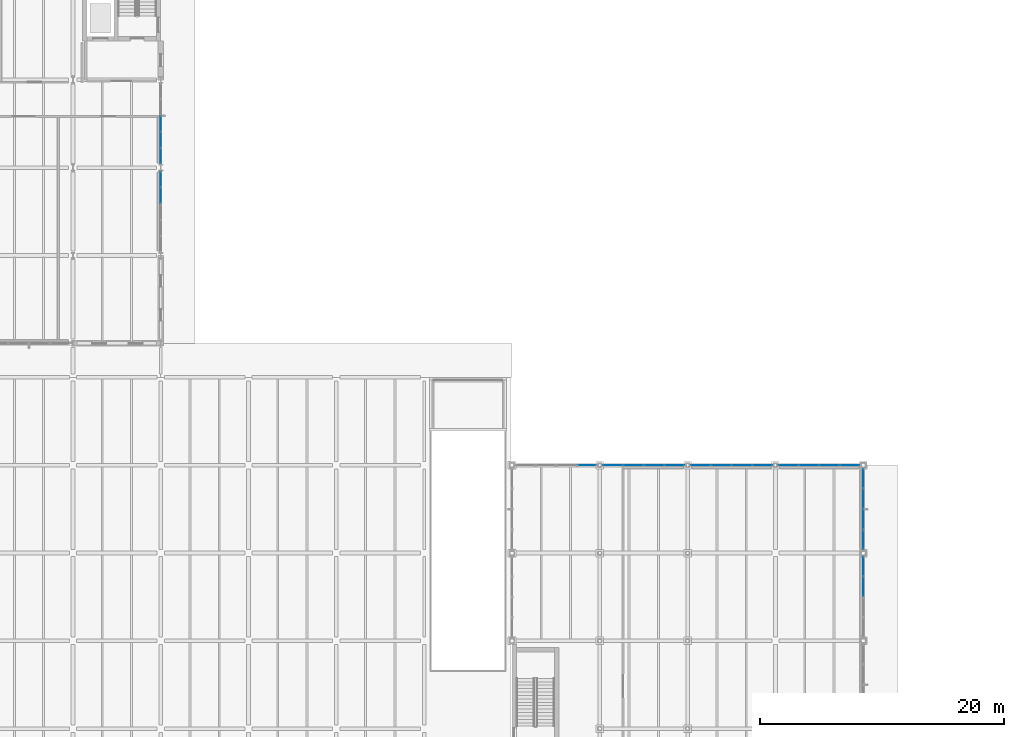
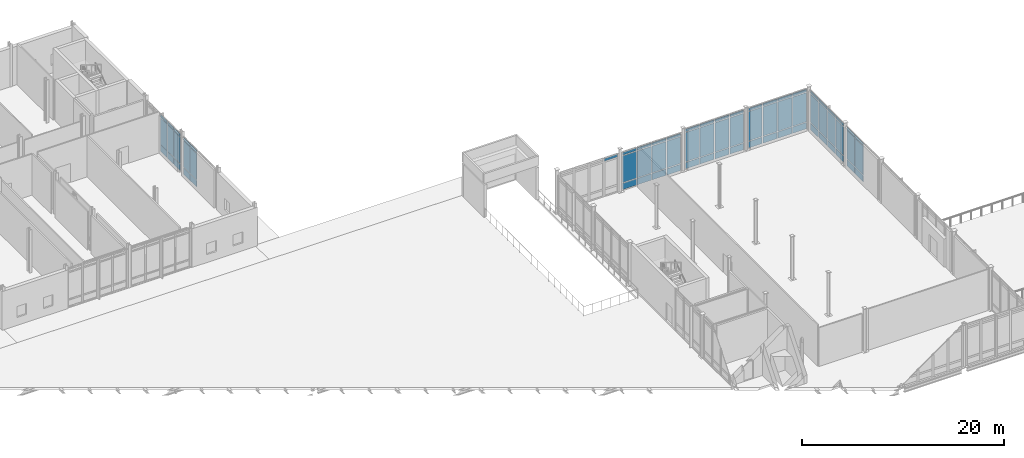
# One storey, part 47 of 89: 70 plates, 8 elements without a shape of their own.
"""IFC4 building model written with IfcOpenShell, lengths in metres."""

from ifc_helpers import new_model, si_unit, direction, frame, origin, origin_2d, place, context, subcontext, project, spatial, rectangle, extrude, material, layer, layer_set, type_object, element, aggregate, save


model = new_model("IFC4")

# Units and contexts
model_context = context("Model", 3, precision=1e-05, world=origin(), true_north=direction((0.0, 1.0)))
body_context = subcontext(model_context, "Body", "Model", "MODEL_VIEW")
ifc_project = project(units=[si_unit("LENGTHUNIT", "METRE"), si_unit("AREAUNIT", "SQUARE_METRE"), si_unit("VOLUMEUNIT", "CUBIC_METRE"), si_unit("PLANEANGLEUNIT", "RADIAN"), si_unit("MASSUNIT", "GRAM", prefix="KILO")], contexts=[model_context])

# Site, building, storey
site_placement = place(None, origin())
site = spatial("IfcSite", under=ifc_project, at=site_placement, CompositionType="ELEMENT")
building_placement = place(site_placement, origin())
building = spatial("IfcBuilding", under=site, at=building_placement, Name="Zarrinpeak Specialist Clinic", CompositionType="ELEMENT")
storey_placement = place(building_placement, origin())
storey = spatial("IfcBuildingStorey", under=building, at=storey_placement, Name="L00", CompositionType="ELEMENT", Elevation=0.0)

# Curtain wall, plate
ifc_material_1 = material(Name="Anodised Aluminium Alloy 6063-T6", Category="aluminium")
ifc_layer_1 = layer(ifc_material_1, 0.199951171875)
ifc_layer_set_1 = layer_set([ifc_layer_1], Name="Anodised Aluminium Alloy 6063-T6")
curtain_wall_type_1 = type_object("IfcCurtainWallType", Name="CW-HALL", PredefinedType="NOTDEFINED", material=ifc_layer_set_1)
curtain_wall_1_placement = place(storey_placement, origin())
curtain_wall_1 = element("IfcCurtainWall", 1, at=curtain_wall_1_placement, inside=storey, type_object=curtain_wall_type_1, Name="L00 V3 Unitised Curtain Wall CW-L00-V3-083", PredefinedType="NOTDEFINED")
ifc_material_2 = material(Name="Double Low-E Insulated Glazing", Category="glass")
ifc_layer_2 = layer(ifc_material_2, 0.028076171875)
ifc_layer_set_2 = layer_set([ifc_layer_2], Name="Double Low-E Insulated Glazing")
plate_type = type_object("IfcPlateType", Name="CWP-GLZ28", PredefinedType="CURTAIN_PANEL", material=ifc_layer_set_2)
plate_1_placement = place(storey_placement, frame((99.742431640625, 72.0, 4.260009765625), z_axis=(0.0, 0.0, 1.0), x_axis=(-1.0, 0.0, 0.0)))
plate_1 = element("IfcPlate", 2, at=plate_1_placement, type_object=plate_type, Name="CW-02 panel 1.3", PredefinedType="CURTAIN_PANEL", context=body_context, shape_type="SweptSolid", body=[
    extrude(rectangle(XDim=1.561279296875, YDim=0.028076171875, at=origin_2d()), origin(), (0.0, 0.0, 1.0), 0.31494140625),
])
aggregate(curtain_wall_1, [plate_1])

# Curtain wall, plates
curtain_wall_2_placement = place(storey_placement, origin())
curtain_wall_2 = element("IfcCurtainWall", 3, at=curtain_wall_2_placement, inside=storey, type_object=curtain_wall_type_1, Name="L00 V3 Unitised Curtain Wall CW-L00-V3-084", PredefinedType="NOTDEFINED")
plate_2_placement = place(storey_placement, frame((106.937255859375, 72.0, 0.08984375), z_axis=(0.0, 0.0, 1.0), x_axis=(-1.0, 0.0, 0.0)))
plate_2 = element("IfcPlate", 4, at=plate_2_placement, type_object=plate_type, Name="CW-02 panel 1.1", PredefinedType="CURTAIN_PANEL", context=body_context, shape_type="SweptSolid", body=[
    extrude(rectangle(XDim=1.571533203125, YDim=0.028076171875, at=origin_2d()), origin(), (0.0, 0.0, 1.0), 0.764892578125),
])
plate_3_placement = place(storey_placement, frame((106.937255859375, 72.0, 0.945068359375), z_axis=(0.0, 0.0, 1.0), x_axis=(-1.0, 0.0, 0.0)))
plate_3 = element("IfcPlate", 5, at=plate_3_placement, type_object=plate_type, Name="CW-02 panel 1.2", PredefinedType="CURTAIN_PANEL", context=body_context, shape_type="SweptSolid", body=[
    extrude(rectangle(XDim=1.571533203125, YDim=0.028076171875, at=origin_2d()), origin(), (0.0, 0.0, 1.0), 3.22509765625),
])
plate_4_placement = place(storey_placement, frame((106.937255859375, 72.0, 4.260009765625), z_axis=(0.0, 0.0, 1.0), x_axis=(-1.0, 0.0, 0.0)))
plate_4 = element("IfcPlate", 6, at=plate_4_placement, type_object=plate_type, Name="CW-02 panel 1.3", PredefinedType="CURTAIN_PANEL", context=body_context, shape_type="SweptSolid", body=[
    extrude(rectangle(XDim=1.571533203125, YDim=0.028076171875, at=origin_2d()), origin(), (0.0, 0.0, 1.0), 0.31494140625),
])
plate_5_placement = place(storey_placement, frame((105.253173828125, 72.0, 0.08984375), z_axis=(0.0, 0.0, 1.0), x_axis=(-1.0, 0.0, 0.0)))
plate_5 = element("IfcPlate", 7, at=plate_5_placement, type_object=plate_type, Name="CW-02 panel 2.1", PredefinedType="CURTAIN_PANEL", context=body_context, shape_type="SweptSolid", body=[
    extrude(rectangle(XDim=1.616455078125, YDim=0.028076171875, at=origin_2d()), origin(), (0.0, 0.0, 1.0), 0.764892578125),
])
plate_6_placement = place(storey_placement, frame((105.253173828125, 72.0, 0.945068359375), z_axis=(0.0, 0.0, 1.0), x_axis=(-1.0, 0.0, 0.0)))
plate_6 = element("IfcPlate", 8, at=plate_6_placement, type_object=plate_type, Name="CW-02 panel 2.2", PredefinedType="CURTAIN_PANEL", context=body_context, shape_type="SweptSolid", body=[
    extrude(rectangle(XDim=1.616455078125, YDim=0.028076171875, at=origin_2d()), origin(), (0.0, 0.0, 1.0), 3.22509765625),
])
plate_7_placement = place(storey_placement, frame((105.253173828125, 72.0, 4.260009765625), z_axis=(0.0, 0.0, 1.0), x_axis=(-1.0, 0.0, 0.0)))
plate_7 = element("IfcPlate", 9, at=plate_7_placement, type_object=plate_type, Name="CW-02 panel 2.3", PredefinedType="CURTAIN_PANEL", context=body_context, shape_type="SweptSolid", body=[
    extrude(rectangle(XDim=1.616455078125, YDim=0.028076171875, at=origin_2d()), origin(), (0.0, 0.0, 1.0), 0.31494140625),
])
plate_8_placement = place(storey_placement, frame((103.546630859375, 72.0, 0.08984375), z_axis=(0.0, 0.0, 1.0), x_axis=(-1.0, 0.0, 0.0)))
plate_8 = element("IfcPlate", 10, at=plate_8_placement, type_object=plate_type, Name="CW-02 panel 3.1", PredefinedType="CURTAIN_PANEL", context=body_context, shape_type="SweptSolid", body=[
    extrude(rectangle(XDim=1.616455078125, YDim=0.028076171875, at=origin_2d()), origin(), (0.0, 0.0, 1.0), 0.764892578125),
])
plate_9_placement = place(storey_placement, frame((103.546630859375, 72.0, 0.945068359375), z_axis=(0.0, 0.0, 1.0), x_axis=(-1.0, 0.0, 0.0)))
plate_9 = element("IfcPlate", 11, at=plate_9_placement, type_object=plate_type, Name="CW-02 panel 3.2", PredefinedType="CURTAIN_PANEL", context=body_context, shape_type="SweptSolid", body=[
    extrude(rectangle(XDim=1.616455078125, YDim=0.028076171875, at=origin_2d()), origin(), (0.0, 0.0, 1.0), 3.22509765625),
])
plate_10_placement = place(storey_placement, frame((103.546630859375, 72.0, 4.260009765625), z_axis=(0.0, 0.0, 1.0), x_axis=(-1.0, 0.0, 0.0)))
plate_10 = element("IfcPlate", 12, at=plate_10_placement, type_object=plate_type, Name="CW-02 panel 3.3", PredefinedType="CURTAIN_PANEL", context=body_context, shape_type="SweptSolid", body=[
    extrude(rectangle(XDim=1.616455078125, YDim=0.028076171875, at=origin_2d()), origin(), (0.0, 0.0, 1.0), 0.31494140625),
])
plate_11_placement = place(storey_placement, frame((101.86279296875, 72.0, 0.08984375), z_axis=(0.0, 0.0, 1.0), x_axis=(-1.0, 0.0, 0.0)))
plate_11 = element("IfcPlate", 13, at=plate_11_placement, type_object=plate_type, Name="CW-02 panel 4.1", PredefinedType="CURTAIN_PANEL", context=body_context, shape_type="SweptSolid", body=[
    extrude(rectangle(XDim=1.571533203125, YDim=0.028076171875, at=origin_2d()), origin(), (0.0, 0.0, 1.0), 0.764892578125),
])
plate_12_placement = place(storey_placement, frame((101.86279296875, 72.0, 0.945068359375), z_axis=(0.0, 0.0, 1.0), x_axis=(-1.0, 0.0, 0.0)))
plate_12 = element("IfcPlate", 14, at=plate_12_placement, type_object=plate_type, Name="CW-02 panel 4.2", PredefinedType="CURTAIN_PANEL", context=body_context, shape_type="SweptSolid", body=[
    extrude(rectangle(XDim=1.571533203125, YDim=0.028076171875, at=origin_2d()), origin(), (0.0, 0.0, 1.0), 3.22509765625),
])
plate_13_placement = place(storey_placement, frame((101.86279296875, 72.0, 4.260009765625), z_axis=(0.0, 0.0, 1.0), x_axis=(-1.0, 0.0, 0.0)))
plate_13 = element("IfcPlate", 15, at=plate_13_placement, type_object=plate_type, Name="CW-02 panel 4.3", PredefinedType="CURTAIN_PANEL", context=body_context, shape_type="SweptSolid", body=[
    extrude(rectangle(XDim=1.571533203125, YDim=0.028076171875, at=origin_2d()), origin(), (0.0, 0.0, 1.0), 0.31494140625),
])
aggregate(curtain_wall_2, [plate_2, plate_3, plate_4, plate_5, plate_6, plate_7, plate_8, plate_9, plate_10, plate_11, plate_12, plate_13])

curtain_wall_3_placement = place(storey_placement, origin())
curtain_wall_3 = element("IfcCurtainWall", 16, at=curtain_wall_3_placement, inside=storey, type_object=curtain_wall_type_1, Name="L00 V3 Unitised Curtain Wall CW-L00-V3-085", PredefinedType="NOTDEFINED")
plate_14_placement = place(storey_placement, frame((114.13720703125, 72.0, 0.08984375), z_axis=(0.0, 0.0, 1.0), x_axis=(-1.0, 0.0, 0.0)))
plate_14 = element("IfcPlate", 17, at=plate_14_placement, type_object=plate_type, Name="CW-02 panel 1.1", PredefinedType="CURTAIN_PANEL", context=body_context, shape_type="SweptSolid", body=[
    extrude(rectangle(XDim=1.571533203125, YDim=0.028076171875, at=origin_2d()), origin(), (0.0, 0.0, 1.0), 0.764892578125),
])
plate_15_placement = place(storey_placement, frame((114.13720703125, 72.0, 0.94482421875), z_axis=(0.0, 0.0, 1.0), x_axis=(-1.0, 0.0, 0.0)))
plate_15 = element("IfcPlate", 18, at=plate_15_placement, type_object=plate_type, Name="CW-02 panel 1.2", PredefinedType="CURTAIN_PANEL", context=body_context, shape_type="SweptSolid", body=[
    extrude(rectangle(XDim=1.571533203125, YDim=0.028076171875, at=origin_2d()), origin(), (0.0, 0.0, 1.0), 3.530029296875),
])
plate_16_placement = place(storey_placement, frame((114.13720703125, 72.0, 4.56494140625), z_axis=(0.0, 0.0, 1.0), x_axis=(-1.0, 0.0, 0.0)))
plate_16 = element("IfcPlate", 19, at=plate_16_placement, type_object=plate_type, Name="CW-02 panel 1.3", PredefinedType="CURTAIN_PANEL", context=body_context, shape_type="SweptSolid", body=[
    extrude(rectangle(XDim=1.571533203125, YDim=0.028076171875, at=origin_2d()), origin(), (0.0, 0.0, 1.0), 0.31494140625),
])
plate_17_placement = place(storey_placement, frame((112.453369140625, 72.0, 0.08984375), z_axis=(0.0, 0.0, 1.0), x_axis=(-1.0, 0.0, 0.0)))
plate_17 = element("IfcPlate", 20, at=plate_17_placement, type_object=plate_type, Name="CW-02 panel 2.1", PredefinedType="CURTAIN_PANEL", context=body_context, shape_type="SweptSolid", body=[
    extrude(rectangle(XDim=1.616455078125, YDim=0.028076171875, at=origin_2d()), origin(), (0.0, 0.0, 1.0), 0.764892578125),
])
plate_18_placement = place(storey_placement, frame((112.453369140625, 72.0, 0.94482421875), z_axis=(0.0, 0.0, 1.0), x_axis=(-1.0, 0.0, 0.0)))
plate_18 = element("IfcPlate", 21, at=plate_18_placement, type_object=plate_type, Name="CW-02 panel 2.2", PredefinedType="CURTAIN_PANEL", context=body_context, shape_type="SweptSolid", body=[
    extrude(rectangle(XDim=1.616455078125, YDim=0.028076171875, at=origin_2d()), origin(), (0.0, 0.0, 1.0), 3.530029296875),
])
plate_19_placement = place(storey_placement, frame((112.453369140625, 72.0, 4.56494140625), z_axis=(0.0, 0.0, 1.0), x_axis=(-1.0, 0.0, 0.0)))
plate_19 = element("IfcPlate", 22, at=plate_19_placement, type_object=plate_type, Name="CW-02 panel 2.3", PredefinedType="CURTAIN_PANEL", context=body_context, shape_type="SweptSolid", body=[
    extrude(rectangle(XDim=1.616455078125, YDim=0.028076171875, at=origin_2d()), origin(), (0.0, 0.0, 1.0), 0.31494140625),
])
plate_20_placement = place(storey_placement, frame((110.746826171875, 72.0, 0.08984375), z_axis=(0.0, 0.0, 1.0), x_axis=(-1.0, 0.0, 0.0)))
plate_20 = element("IfcPlate", 23, at=plate_20_placement, type_object=plate_type, Name="CW-02 panel 3.1", PredefinedType="CURTAIN_PANEL", context=body_context, shape_type="SweptSolid", body=[
    extrude(rectangle(XDim=1.616455078125, YDim=0.028076171875, at=origin_2d()), origin(), (0.0, 0.0, 1.0), 0.764892578125),
])
plate_21_placement = place(storey_placement, frame((110.746826171875, 72.0, 0.94482421875), z_axis=(0.0, 0.0, 1.0), x_axis=(-1.0, 0.0, 0.0)))
plate_21 = element("IfcPlate", 24, at=plate_21_placement, type_object=plate_type, Name="CW-02 panel 3.2", PredefinedType="CURTAIN_PANEL", context=body_context, shape_type="SweptSolid", body=[
    extrude(rectangle(XDim=1.616455078125, YDim=0.028076171875, at=origin_2d()), origin(), (0.0, 0.0, 1.0), 3.530029296875),
])
plate_22_placement = place(storey_placement, frame((110.746826171875, 72.0, 4.56494140625), z_axis=(0.0, 0.0, 1.0), x_axis=(-1.0, 0.0, 0.0)))
plate_22 = element("IfcPlate", 25, at=plate_22_placement, type_object=plate_type, Name="CW-02 panel 3.3", PredefinedType="CURTAIN_PANEL", context=body_context, shape_type="SweptSolid", body=[
    extrude(rectangle(XDim=1.616455078125, YDim=0.028076171875, at=origin_2d()), origin(), (0.0, 0.0, 1.0), 0.31494140625),
])
plate_23_placement = place(storey_placement, frame((109.062744140625, 72.0, 0.08984375), z_axis=(0.0, 0.0, 1.0), x_axis=(-1.0, 0.0, 0.0)))
plate_23 = element("IfcPlate", 26, at=plate_23_placement, type_object=plate_type, Name="CW-02 panel 4.1", PredefinedType="CURTAIN_PANEL", context=body_context, shape_type="SweptSolid", body=[
    extrude(rectangle(XDim=1.571533203125, YDim=0.028076171875, at=origin_2d()), origin(), (0.0, 0.0, 1.0), 0.764892578125),
])
plate_24_placement = place(storey_placement, frame((109.062744140625, 72.0, 0.94482421875), z_axis=(0.0, 0.0, 1.0), x_axis=(-1.0, 0.0, 0.0)))
plate_24 = element("IfcPlate", 27, at=plate_24_placement, type_object=plate_type, Name="CW-02 panel 4.2", PredefinedType="CURTAIN_PANEL", context=body_context, shape_type="SweptSolid", body=[
    extrude(rectangle(XDim=1.571533203125, YDim=0.028076171875, at=origin_2d()), origin(), (0.0, 0.0, 1.0), 3.530029296875),
])
plate_25_placement = place(storey_placement, frame((109.062744140625, 72.0, 4.56494140625), z_axis=(0.0, 0.0, 1.0), x_axis=(-1.0, 0.0, 0.0)))
plate_25 = element("IfcPlate", 28, at=plate_25_placement, type_object=plate_type, Name="CW-02 panel 4.3", PredefinedType="CURTAIN_PANEL", context=body_context, shape_type="SweptSolid", body=[
    extrude(rectangle(XDim=1.571533203125, YDim=0.028076171875, at=origin_2d()), origin(), (0.0, 0.0, 1.0), 0.31494140625),
])
aggregate(curtain_wall_3, [plate_14, plate_15, plate_16, plate_17, plate_18, plate_19, plate_20, plate_21, plate_22, plate_23, plate_24, plate_25])

curtain_wall_4_placement = place(storey_placement, origin())
curtain_wall_4 = element("IfcCurtainWall", 29, at=curtain_wall_4_placement, inside=storey, type_object=curtain_wall_type_1, Name="L00 V3 Unitised Curtain Wall CW-L00-V3-086", PredefinedType="NOTDEFINED")
plate_26_placement = place(storey_placement, frame((121.30126953125, 72.0, 0.08984375), z_axis=(0.0, 0.0, 1.0), x_axis=(-1.0, 0.0, 0.0)))
plate_26 = element("IfcPlate", 30, at=plate_26_placement, type_object=plate_type, Name="CW-02 panel 1.1", PredefinedType="CURTAIN_PANEL", context=body_context, shape_type="SweptSolid", body=[
    extrude(rectangle(XDim=1.561279296875, YDim=0.028076171875, at=origin_2d()), origin(), (0.0, 0.0, 1.0), 0.764892578125),
])
plate_27_placement = place(storey_placement, frame((121.30126953125, 72.0, 0.94482421875), z_axis=(0.0, 0.0, 1.0), x_axis=(-1.0, 0.0, 0.0)))
plate_27 = element("IfcPlate", 31, at=plate_27_placement, type_object=plate_type, Name="CW-02 panel 1.2", PredefinedType="CURTAIN_PANEL", context=body_context, shape_type="SweptSolid", body=[
    extrude(rectangle(XDim=1.561279296875, YDim=0.028076171875, at=origin_2d()), origin(), (0.0, 0.0, 1.0), 3.530029296875),
])
plate_28_placement = place(storey_placement, frame((121.30126953125, 72.0, 4.56494140625), z_axis=(0.0, 0.0, 1.0), x_axis=(-1.0, 0.0, 0.0)))
plate_28 = element("IfcPlate", 32, at=plate_28_placement, type_object=plate_type, Name="CW-02 panel 1.3", PredefinedType="CURTAIN_PANEL", context=body_context, shape_type="SweptSolid", body=[
    extrude(rectangle(XDim=1.561279296875, YDim=0.028076171875, at=origin_2d()), origin(), (0.0, 0.0, 1.0), 0.31494140625),
])
plate_29_placement = place(storey_placement, frame((119.62744140625, 72.0, 0.08984375), z_axis=(0.0, 0.0, 1.0), x_axis=(-1.0, 0.0, 0.0)))
plate_29 = element("IfcPlate", 33, at=plate_29_placement, type_object=plate_type, Name="CW-02 panel 2.1", PredefinedType="CURTAIN_PANEL", context=body_context, shape_type="SweptSolid", body=[
    extrude(rectangle(XDim=1.606201171875, YDim=0.028076171875, at=origin_2d()), origin(), (0.0, 0.0, 1.0), 0.764892578125),
])
plate_30_placement = place(storey_placement, frame((119.62744140625, 72.0, 0.94482421875), z_axis=(0.0, 0.0, 1.0), x_axis=(-1.0, 0.0, 0.0)))
plate_30 = element("IfcPlate", 34, at=plate_30_placement, type_object=plate_type, Name="CW-02 panel 2.2", PredefinedType="CURTAIN_PANEL", context=body_context, shape_type="SweptSolid", body=[
    extrude(rectangle(XDim=1.606201171875, YDim=0.028076171875, at=origin_2d()), origin(), (0.0, 0.0, 1.0), 3.530029296875),
])
plate_31_placement = place(storey_placement, frame((119.62744140625, 72.0, 4.56494140625), z_axis=(0.0, 0.0, 1.0), x_axis=(-1.0, 0.0, 0.0)))
plate_31 = element("IfcPlate", 35, at=plate_31_placement, type_object=plate_type, Name="CW-02 panel 2.3", PredefinedType="CURTAIN_PANEL", context=body_context, shape_type="SweptSolid", body=[
    extrude(rectangle(XDim=1.606201171875, YDim=0.028076171875, at=origin_2d()), origin(), (0.0, 0.0, 1.0), 0.31494140625),
])
plate_32_placement = place(storey_placement, frame((117.93115234375, 72.0, 0.08984375), z_axis=(0.0, 0.0, 1.0), x_axis=(-1.0, 0.0, 0.0)))
plate_32 = element("IfcPlate", 36, at=plate_32_placement, type_object=plate_type, Name="CW-02 panel 3.1", PredefinedType="CURTAIN_PANEL", context=body_context, shape_type="SweptSolid", body=[
    extrude(rectangle(XDim=1.606201171875, YDim=0.028076171875, at=origin_2d()), origin(), (0.0, 0.0, 1.0), 0.764892578125),
])
plate_33_placement = place(storey_placement, frame((117.93115234375, 72.0, 0.94482421875), z_axis=(0.0, 0.0, 1.0), x_axis=(-1.0, 0.0, 0.0)))
plate_33 = element("IfcPlate", 37, at=plate_33_placement, type_object=plate_type, Name="CW-02 panel 3.2", PredefinedType="CURTAIN_PANEL", context=body_context, shape_type="SweptSolid", body=[
    extrude(rectangle(XDim=1.606201171875, YDim=0.028076171875, at=origin_2d()), origin(), (0.0, 0.0, 1.0), 3.530029296875),
])
plate_34_placement = place(storey_placement, frame((117.93115234375, 72.0, 4.56494140625), z_axis=(0.0, 0.0, 1.0), x_axis=(-1.0, 0.0, 0.0)))
plate_34 = element("IfcPlate", 38, at=plate_34_placement, type_object=plate_type, Name="CW-02 panel 3.3", PredefinedType="CURTAIN_PANEL", context=body_context, shape_type="SweptSolid", body=[
    extrude(rectangle(XDim=1.606201171875, YDim=0.028076171875, at=origin_2d()), origin(), (0.0, 0.0, 1.0), 0.31494140625),
])
plate_35_placement = place(storey_placement, frame((116.257568359375, 72.0, 0.08984375), z_axis=(0.0, 0.0, 1.0), x_axis=(-1.0, 0.0, 0.0)))
plate_35 = element("IfcPlate", 39, at=plate_35_placement, type_object=plate_type, Name="CW-02 panel 4.1", PredefinedType="CURTAIN_PANEL", context=body_context, shape_type="SweptSolid", body=[
    extrude(rectangle(XDim=1.561279296875, YDim=0.028076171875, at=origin_2d()), origin(), (0.0, 0.0, 1.0), 0.764892578125),
])
plate_36_placement = place(storey_placement, frame((116.257568359375, 72.0, 0.94482421875), z_axis=(0.0, 0.0, 1.0), x_axis=(-1.0, 0.0, 0.0)))
plate_36 = element("IfcPlate", 40, at=plate_36_placement, type_object=plate_type, Name="CW-02 panel 4.2", PredefinedType="CURTAIN_PANEL", context=body_context, shape_type="SweptSolid", body=[
    extrude(rectangle(XDim=1.561279296875, YDim=0.028076171875, at=origin_2d()), origin(), (0.0, 0.0, 1.0), 3.530029296875),
])
plate_37_placement = place(storey_placement, frame((116.257568359375, 72.0, 4.56494140625), z_axis=(0.0, 0.0, 1.0), x_axis=(-1.0, 0.0, 0.0)))
plate_37 = element("IfcPlate", 41, at=plate_37_placement, type_object=plate_type, Name="CW-02 panel 4.3", PredefinedType="CURTAIN_PANEL", context=body_context, shape_type="SweptSolid", body=[
    extrude(rectangle(XDim=1.561279296875, YDim=0.028076171875, at=origin_2d()), origin(), (0.0, 0.0, 1.0), 0.31494140625),
])
aggregate(curtain_wall_4, [plate_26, plate_27, plate_28, plate_29, plate_30, plate_31, plate_32, plate_33, plate_34, plate_35, plate_36, plate_37])

curtain_wall_5_placement = place(storey_placement, origin())
curtain_wall_5 = element("IfcCurtainWall", 42, at=curtain_wall_5_placement, inside=storey, type_object=curtain_wall_type_1, Name="L00 V3 Unitised Curtain Wall CW-L00-V3-095", PredefinedType="NOTDEFINED")
plate_38_placement = place(storey_placement, frame((122.39990234375, 62.04296875, 0.08984375), z_axis=(0.0, 0.0, 1.0), x_axis=(0.0, 1.0, 0.0)))
plate_38 = element("IfcPlate", 43, at=plate_38_placement, type_object=plate_type, Name="CW-02 panel 3.1", PredefinedType="CURTAIN_PANEL", context=body_context, shape_type="SweptSolid", body=[
    extrude(rectangle(XDim=1.595947265625, YDim=0.028076171875, at=origin_2d()), origin(), (0.0, 0.0, 1.0), 0.764892578125),
])
plate_39_placement = place(storey_placement, frame((122.39990234375, 62.04296875, 0.945068359375), z_axis=(0.0, 0.0, 1.0), x_axis=(0.0, 1.0, 0.0)))
plate_39 = element("IfcPlate", 44, at=plate_39_placement, type_object=plate_type, Name="CW-02 panel 3.2", PredefinedType="CURTAIN_PANEL", context=body_context, shape_type="SweptSolid", body=[
    extrude(rectangle(XDim=1.595947265625, YDim=0.028076171875, at=origin_2d()), origin(), (0.0, 0.0, 1.0), 3.43505859375),
])
plate_40_placement = place(storey_placement, frame((122.39990234375, 62.04296875, 4.469970703125), z_axis=(0.0, 0.0, 1.0), x_axis=(0.0, 1.0, 0.0)))
plate_40 = element("IfcPlate", 45, at=plate_40_placement, type_object=plate_type, Name="CW-02 panel 3.3", PredefinedType="CURTAIN_PANEL", context=body_context, shape_type="SweptSolid", body=[
    extrude(rectangle(XDim=1.595947265625, YDim=0.028076171875, at=origin_2d()), origin(), (0.0, 0.0, 1.0), 0.31494140625),
])
plate_41_placement = place(storey_placement, frame((122.39990234375, 63.706298828125, 0.08984375), z_axis=(0.0, 0.0, 1.0), x_axis=(0.0, 1.0, 0.0)))
plate_41 = element("IfcPlate", 46, at=plate_41_placement, type_object=plate_type, Name="CW-02 panel 4.1", PredefinedType="CURTAIN_PANEL", context=body_context, shape_type="SweptSolid", body=[
    extrude(rectangle(XDim=1.55078125, YDim=0.028076171875, at=origin_2d()), origin(), (0.0, 0.0, 1.0), 0.764892578125),
])
plate_42_placement = place(storey_placement, frame((122.39990234375, 63.706298828125, 0.945068359375), z_axis=(0.0, 0.0, 1.0), x_axis=(0.0, 1.0, 0.0)))
plate_42 = element("IfcPlate", 47, at=plate_42_placement, type_object=plate_type, Name="CW-02 panel 4.2", PredefinedType="CURTAIN_PANEL", context=body_context, shape_type="SweptSolid", body=[
    extrude(rectangle(XDim=1.55078125, YDim=0.028076171875, at=origin_2d()), origin(), (0.0, 0.0, 1.0), 3.43505859375),
])
plate_43_placement = place(storey_placement, frame((122.39990234375, 63.706298828125, 4.469970703125), z_axis=(0.0, 0.0, 1.0), x_axis=(0.0, 1.0, 0.0)))
plate_43 = element("IfcPlate", 48, at=plate_43_placement, type_object=plate_type, Name="CW-02 panel 4.3", PredefinedType="CURTAIN_PANEL", context=body_context, shape_type="SweptSolid", body=[
    extrude(rectangle(XDim=1.55078125, YDim=0.028076171875, at=origin_2d()), origin(), (0.0, 0.0, 1.0), 0.31494140625),
])
aggregate(curtain_wall_5, [plate_38, plate_39, plate_40, plate_41, plate_42, plate_43])

curtain_wall_6_placement = place(storey_placement, origin())
curtain_wall_6 = element("IfcCurtainWall", 49, at=curtain_wall_6_placement, inside=storey, type_object=curtain_wall_type_1, Name="L00 V3 Unitised Curtain Wall CW-L00-V3-096", PredefinedType="NOTDEFINED")
plate_44_placement = place(storey_placement, frame((122.39990234375, 65.8935546875, 0.08984375), z_axis=(0.0, 0.0, 1.0), x_axis=(0.0, 1.0, 0.0)))
plate_44 = element("IfcPlate", 50, at=plate_44_placement, type_object=plate_type, Name="CW-02 panel 1.1", PredefinedType="CURTAIN_PANEL", context=body_context, shape_type="SweptSolid", body=[
    extrude(rectangle(XDim=1.55078125, YDim=0.028076171875, at=origin_2d()), origin(), (0.0, 0.0, 1.0), 0.764892578125),
])
plate_45_placement = place(storey_placement, frame((122.39990234375, 65.8935546875, 0.945068359375), z_axis=(0.0, 0.0, 1.0), x_axis=(0.0, 1.0, 0.0)))
plate_45 = element("IfcPlate", 51, at=plate_45_placement, type_object=plate_type, Name="CW-02 panel 1.2", PredefinedType="CURTAIN_PANEL", context=body_context, shape_type="SweptSolid", body=[
    extrude(rectangle(XDim=1.55078125, YDim=0.028076171875, at=origin_2d()), origin(), (0.0, 0.0, 1.0), 3.43505859375),
])
plate_46_placement = place(storey_placement, frame((122.39990234375, 65.8935546875, 4.469970703125), z_axis=(0.0, 0.0, 1.0), x_axis=(0.0, 1.0, 0.0)))
plate_46 = element("IfcPlate", 52, at=plate_46_placement, type_object=plate_type, Name="CW-02 panel 1.3", PredefinedType="CURTAIN_PANEL", context=body_context, shape_type="SweptSolid", body=[
    extrude(rectangle(XDim=1.55078125, YDim=0.028076171875, at=origin_2d()), origin(), (0.0, 0.0, 1.0), 0.31494140625),
])
plate_47_placement = place(storey_placement, frame((122.39990234375, 67.55712890625, 0.08984375), z_axis=(0.0, 0.0, 1.0), x_axis=(0.0, 1.0, 0.0)))
plate_47 = element("IfcPlate", 53, at=plate_47_placement, type_object=plate_type, Name="CW-02 panel 2.1", PredefinedType="CURTAIN_PANEL", context=body_context, shape_type="SweptSolid", body=[
    extrude(rectangle(XDim=1.595947265625, YDim=0.028076171875, at=origin_2d()), origin(), (0.0, 0.0, 1.0), 0.764892578125),
])
plate_48_placement = place(storey_placement, frame((122.39990234375, 67.55712890625, 0.945068359375), z_axis=(0.0, 0.0, 1.0), x_axis=(0.0, 1.0, 0.0)))
plate_48 = element("IfcPlate", 54, at=plate_48_placement, type_object=plate_type, Name="CW-02 panel 2.2", PredefinedType="CURTAIN_PANEL", context=body_context, shape_type="SweptSolid", body=[
    extrude(rectangle(XDim=1.595947265625, YDim=0.028076171875, at=origin_2d()), origin(), (0.0, 0.0, 1.0), 3.43505859375),
])
plate_49_placement = place(storey_placement, frame((122.39990234375, 67.55712890625, 4.469970703125), z_axis=(0.0, 0.0, 1.0), x_axis=(0.0, 1.0, 0.0)))
plate_49 = element("IfcPlate", 55, at=plate_49_placement, type_object=plate_type, Name="CW-02 panel 2.3", PredefinedType="CURTAIN_PANEL", context=body_context, shape_type="SweptSolid", body=[
    extrude(rectangle(XDim=1.595947265625, YDim=0.028076171875, at=origin_2d()), origin(), (0.0, 0.0, 1.0), 0.31494140625),
])
plate_50_placement = place(storey_placement, frame((122.39990234375, 69.242919921875, 0.08984375), z_axis=(0.0, 0.0, 1.0), x_axis=(0.0, 1.0, 0.0)))
plate_50 = element("IfcPlate", 56, at=plate_50_placement, type_object=plate_type, Name="CW-02 panel 3.1", PredefinedType="CURTAIN_PANEL", context=body_context, shape_type="SweptSolid", body=[
    extrude(rectangle(XDim=1.595947265625, YDim=0.028076171875, at=origin_2d()), origin(), (0.0, 0.0, 1.0), 0.764892578125),
])
plate_51_placement = place(storey_placement, frame((122.39990234375, 69.242919921875, 0.945068359375), z_axis=(0.0, 0.0, 1.0), x_axis=(0.0, 1.0, 0.0)))
plate_51 = element("IfcPlate", 57, at=plate_51_placement, type_object=plate_type, Name="CW-02 panel 3.2", PredefinedType="CURTAIN_PANEL", context=body_context, shape_type="SweptSolid", body=[
    extrude(rectangle(XDim=1.595947265625, YDim=0.028076171875, at=origin_2d()), origin(), (0.0, 0.0, 1.0), 3.43505859375),
])
plate_52_placement = place(storey_placement, frame((122.39990234375, 69.242919921875, 4.469970703125), z_axis=(0.0, 0.0, 1.0), x_axis=(0.0, 1.0, 0.0)))
plate_52 = element("IfcPlate", 58, at=plate_52_placement, type_object=plate_type, Name="CW-02 panel 3.3", PredefinedType="CURTAIN_PANEL", context=body_context, shape_type="SweptSolid", body=[
    extrude(rectangle(XDim=1.595947265625, YDim=0.028076171875, at=origin_2d()), origin(), (0.0, 0.0, 1.0), 0.31494140625),
])
plate_53_placement = place(storey_placement, frame((122.39990234375, 70.90625, 0.08984375), z_axis=(0.0, 0.0, 1.0), x_axis=(0.0, 1.0, 0.0)))
plate_53 = element("IfcPlate", 59, at=plate_53_placement, type_object=plate_type, Name="CW-02 panel 4.1", PredefinedType="CURTAIN_PANEL", context=body_context, shape_type="SweptSolid", body=[
    extrude(rectangle(XDim=1.55078125, YDim=0.028076171875, at=origin_2d()), origin(), (0.0, 0.0, 1.0), 0.764892578125),
])
plate_54_placement = place(storey_placement, frame((122.39990234375, 70.90625, 0.945068359375), z_axis=(0.0, 0.0, 1.0), x_axis=(0.0, 1.0, 0.0)))
plate_54 = element("IfcPlate", 60, at=plate_54_placement, type_object=plate_type, Name="CW-02 panel 4.2", PredefinedType="CURTAIN_PANEL", context=body_context, shape_type="SweptSolid", body=[
    extrude(rectangle(XDim=1.55078125, YDim=0.028076171875, at=origin_2d()), origin(), (0.0, 0.0, 1.0), 3.43505859375),
])
plate_55_placement = place(storey_placement, frame((122.39990234375, 70.90625, 4.469970703125), z_axis=(0.0, 0.0, 1.0), x_axis=(0.0, 1.0, 0.0)))
plate_55 = element("IfcPlate", 61, at=plate_55_placement, type_object=plate_type, Name="CW-02 panel 4.3", PredefinedType="CURTAIN_PANEL", context=body_context, shape_type="SweptSolid", body=[
    extrude(rectangle(XDim=1.55078125, YDim=0.028076171875, at=origin_2d()), origin(), (0.0, 0.0, 1.0), 0.31494140625),
])
aggregate(curtain_wall_6, [plate_44, plate_45, plate_46, plate_47, plate_48, plate_49, plate_50, plate_51, plate_52, plate_53, plate_54, plate_55])

ifc_layer_3 = layer(ifc_material_1, 0.1650390625)
ifc_layer_set_3 = layer_set([ifc_layer_3], Name="Anodised Aluminium Alloy 6063-T6")
curtain_wall_type_2 = type_object("IfcCurtainWallType", Name="CW-CLINIC", PredefinedType="NOTDEFINED", material=ifc_layer_set_3)
curtain_wall_7_placement = place(storey_placement, origin())
curtain_wall_7 = element("IfcCurtainWall", 62, at=curtain_wall_7_placement, inside=storey, type_object=curtain_wall_type_2, Name="L00 V6 Unitised Curtain Wall CW-L00-V6-133", PredefinedType="NOTDEFINED")
plate_56_placement = place(storey_placement, frame((64.800048828125, 94.12255859375, 0.074951171875), z_axis=(0.0, 0.0, 1.0), x_axis=(0.0, 1.0, 0.0)))
plate_56 = element("IfcPlate", 63, at=plate_56_placement, type_object=plate_type, Name="CW-03 panel 4.1", PredefinedType="CURTAIN_PANEL", context=body_context, shape_type="SweptSolid", body=[
    extrude(rectangle(XDim=1.260009765625, YDim=0.028076171875, at=origin_2d()), origin(), (0.0, 0.0, 1.0), 0.78759765625),
])
plate_57_placement = place(storey_placement, frame((64.800048828125, 94.12255859375, 0.9375), z_axis=(0.0, 0.0, 1.0), x_axis=(0.0, 1.0, 0.0)))
plate_57 = element("IfcPlate", 64, at=plate_57_placement, type_object=plate_type, Name="CW-03 panel 4.2", PredefinedType="CURTAIN_PANEL", context=body_context, shape_type="SweptSolid", body=[
    extrude(rectangle(XDim=1.260009765625, YDim=0.028076171875, at=origin_2d()), origin(), (0.0, 0.0, 1.0), 3.169921875),
])
plate_58_placement = place(storey_placement, frame((64.800048828125, 94.12255859375, 4.1826171875), z_axis=(0.0, 0.0, 1.0), x_axis=(0.0, 1.0, 0.0)))
plate_58 = element("IfcPlate", 65, at=plate_58_placement, type_object=plate_type, Name="CW-03 panel 4.3", PredefinedType="CURTAIN_PANEL", context=body_context, shape_type="SweptSolid", body=[
    extrude(rectangle(XDim=1.260009765625, YDim=0.028076171875, at=origin_2d()), origin(), (0.0, 0.0, 1.0), 0.33740234375),
])
plate_59_placement = place(storey_placement, frame((64.800048828125, 95.438720703125, 0.074951171875), z_axis=(0.0, 0.0, 1.0), x_axis=(0.0, 1.0, 0.0)))
plate_59 = element("IfcPlate", 66, at=plate_59_placement, type_object=plate_type, Name="CW-03 panel 5.1", PredefinedType="CURTAIN_PANEL", context=body_context, shape_type="SweptSolid", body=[
    extrude(rectangle(XDim=1.222412109375, YDim=0.028076171875, at=origin_2d()), origin(), (0.0, 0.0, 1.0), 0.78759765625),
])
plate_60_placement = place(storey_placement, frame((64.800048828125, 95.438720703125, 0.9375), z_axis=(0.0, 0.0, 1.0), x_axis=(0.0, 1.0, 0.0)))
plate_60 = element("IfcPlate", 67, at=plate_60_placement, type_object=plate_type, Name="CW-03 panel 5.2", PredefinedType="CURTAIN_PANEL", context=body_context, shape_type="SweptSolid", body=[
    extrude(rectangle(XDim=1.222412109375, YDim=0.028076171875, at=origin_2d()), origin(), (0.0, 0.0, 1.0), 3.169921875),
])
plate_61_placement = place(storey_placement, frame((64.800048828125, 95.438720703125, 4.1826171875), z_axis=(0.0, 0.0, 1.0), x_axis=(0.0, 1.0, 0.0)))
plate_61 = element("IfcPlate", 68, at=plate_61_placement, type_object=plate_type, Name="CW-03 panel 5.3", PredefinedType="CURTAIN_PANEL", context=body_context, shape_type="SweptSolid", body=[
    extrude(rectangle(XDim=1.222412109375, YDim=0.028076171875, at=origin_2d()), origin(), (0.0, 0.0, 1.0), 0.33740234375),
])
aggregate(curtain_wall_7, [plate_56, plate_57, plate_58, plate_59, plate_60, plate_61])

curtain_wall_8_placement = place(storey_placement, origin())
curtain_wall_8 = element("IfcCurtainWall", 69, at=curtain_wall_8_placement, inside=storey, type_object=curtain_wall_type_2, Name="L00 V6 Unitised Curtain Wall CW-L00-V6-134", PredefinedType="NOTDEFINED")
plate_62_placement = place(storey_placement, frame((64.800048828125, 97.358642578125, 0.074951171875), z_axis=(0.0, 0.0, 1.0), x_axis=(0.0, 1.0, 0.0)))
plate_62 = element("IfcPlate", 70, at=plate_62_placement, type_object=plate_type, Name="CW-03 panel 1.1", PredefinedType="CURTAIN_PANEL", context=body_context, shape_type="SweptSolid", body=[
    extrude(rectangle(XDim=1.217529296875, YDim=0.028076171875, at=origin_2d()), origin(), (0.0, 0.0, 1.0), 0.78759765625),
])
plate_63_placement = place(storey_placement, frame((64.800048828125, 97.358642578125, 0.9375), z_axis=(0.0, 0.0, 1.0), x_axis=(0.0, 1.0, 0.0)))
plate_63 = element("IfcPlate", 71, at=plate_63_placement, type_object=plate_type, Name="CW-03 panel 1.2", PredefinedType="CURTAIN_PANEL", context=body_context, shape_type="SweptSolid", body=[
    extrude(rectangle(XDim=1.217529296875, YDim=0.028076171875, at=origin_2d()), origin(), (0.0, 0.0, 1.0), 3.169921875),
])
plate_64_placement = place(storey_placement, frame((64.800048828125, 97.358642578125, 4.1826171875), z_axis=(0.0, 0.0, 1.0), x_axis=(0.0, 1.0, 0.0)))
plate_64 = element("IfcPlate", 72, at=plate_64_placement, type_object=plate_type, Name="CW-03 panel 1.3", PredefinedType="CURTAIN_PANEL", context=body_context, shape_type="SweptSolid", body=[
    extrude(rectangle(XDim=1.217529296875, YDim=0.028076171875, at=origin_2d()), origin(), (0.0, 0.0, 1.0), 0.33740234375),
])
plate_65_placement = place(storey_placement, frame((64.800048828125, 98.669921875, 0.074951171875), z_axis=(0.0, 0.0, 1.0), x_axis=(0.0, 1.0, 0.0)))
plate_65 = element("IfcPlate", 73, at=plate_65_placement, type_object=plate_type, Name="CW-03 panel 2.1", PredefinedType="CURTAIN_PANEL", context=body_context, shape_type="SweptSolid", body=[
    extrude(rectangle(XDim=1.2548828125, YDim=0.028076171875, at=origin_2d()), origin(), (0.0, 0.0, 1.0), 0.78759765625),
])
plate_66_placement = place(storey_placement, frame((64.800048828125, 98.669921875, 0.9375), z_axis=(0.0, 0.0, 1.0), x_axis=(0.0, 1.0, 0.0)))
plate_66 = element("IfcPlate", 74, at=plate_66_placement, type_object=plate_type, Name="CW-03 panel 2.2", PredefinedType="CURTAIN_PANEL", context=body_context, shape_type="SweptSolid", body=[
    extrude(rectangle(XDim=1.2548828125, YDim=0.028076171875, at=origin_2d()), origin(), (0.0, 0.0, 1.0), 3.169921875),
])
plate_67_placement = place(storey_placement, frame((64.800048828125, 98.669921875, 4.1826171875), z_axis=(0.0, 0.0, 1.0), x_axis=(0.0, 1.0, 0.0)))
plate_67 = element("IfcPlate", 75, at=plate_67_placement, type_object=plate_type, Name="CW-03 panel 2.3", PredefinedType="CURTAIN_PANEL", context=body_context, shape_type="SweptSolid", body=[
    extrude(rectangle(XDim=1.2548828125, YDim=0.028076171875, at=origin_2d()), origin(), (0.0, 0.0, 1.0), 0.33740234375),
])
plate_68_placement = place(storey_placement, frame((64.800048828125, 100.0, 0.074951171875), z_axis=(0.0, 0.0, 1.0), x_axis=(0.0, 1.0, 0.0)))
plate_68 = element("IfcPlate", 76, at=plate_68_placement, type_object=plate_type, Name="CW-03 panel 3.1", PredefinedType="CURTAIN_PANEL", context=body_context, shape_type="SweptSolid", body=[
    extrude(rectangle(XDim=1.2548828125, YDim=0.028076171875, at=origin_2d()), origin(), (0.0, 0.0, 1.0), 0.78759765625),
])
plate_69_placement = place(storey_placement, frame((64.800048828125, 100.0, 0.9375), z_axis=(0.0, 0.0, 1.0), x_axis=(0.0, 1.0, 0.0)))
plate_69 = element("IfcPlate", 77, at=plate_69_placement, type_object=plate_type, Name="CW-03 panel 3.2", PredefinedType="CURTAIN_PANEL", context=body_context, shape_type="SweptSolid", body=[
    extrude(rectangle(XDim=1.2548828125, YDim=0.028076171875, at=origin_2d()), origin(), (0.0, 0.0, 1.0), 3.169921875),
])
plate_70_placement = place(storey_placement, frame((64.800048828125, 100.0, 4.1826171875), z_axis=(0.0, 0.0, 1.0), x_axis=(0.0, 1.0, 0.0)))
plate_70 = element("IfcPlate", 78, at=plate_70_placement, type_object=plate_type, Name="CW-03 panel 3.3", PredefinedType="CURTAIN_PANEL", context=body_context, shape_type="SweptSolid", body=[
    extrude(rectangle(XDim=1.2548828125, YDim=0.028076171875, at=origin_2d()), origin(), (0.0, 0.0, 1.0), 0.33740234375),
])
aggregate(curtain_wall_8, [plate_62, plate_63, plate_64, plate_65, plate_66, plate_67, plate_68, plate_69, plate_70])

save(model, "model.ifc")
